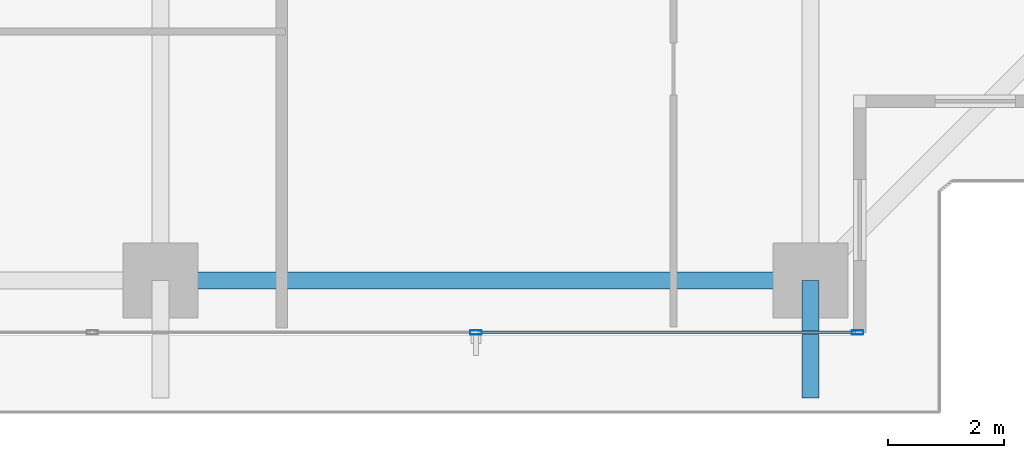
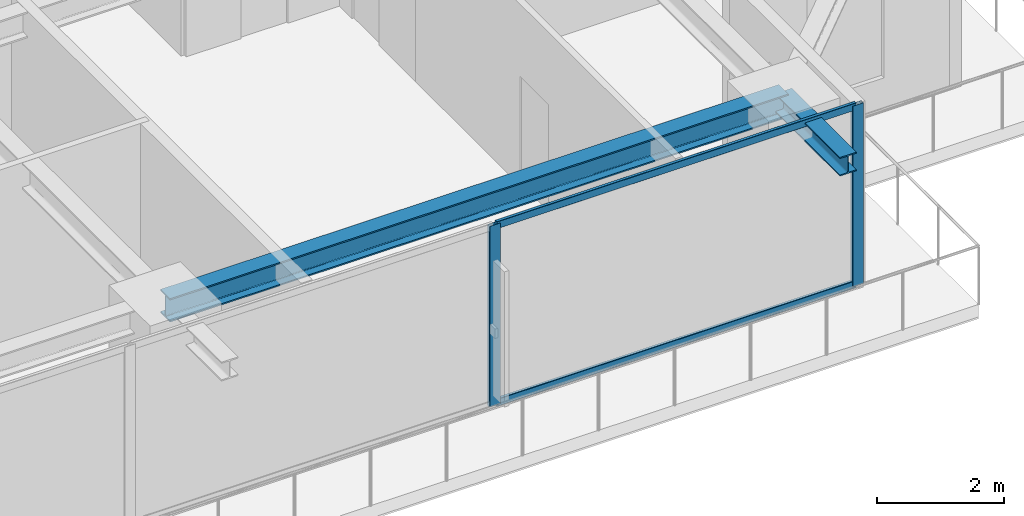
# One storey, part 10 of 34: 4 members, 2 beams, 1 element without a shape of its own.
"""IFC4 building model written with IfcOpenShell, lengths in metres."""

from ifc_helpers import new_model, si_unit, direction, frame, origin, origin_2d, place, context, subcontext, project, spatial, hollow_rectangle, i_section, extrude, source, transform, mapped, material, layer, layer_set, material_profile, profile_set, type_object, element, aggregate, save


model = new_model("IFC4")

# Units and contexts
model_context = context("Model", 3, precision=1e-05, world=origin(), true_north=direction((0.0, 1.0)))
body_context = subcontext(model_context, "Body", "Model", "MODEL_VIEW")
ifc_project = project(units=[si_unit("LENGTHUNIT", "METRE"), si_unit("AREAUNIT", "SQUARE_METRE"), si_unit("VOLUMEUNIT", "CUBIC_METRE"), si_unit("PLANEANGLEUNIT", "RADIAN"), si_unit("MASSUNIT", "GRAM", prefix="KILO")], contexts=[model_context])

# Site, building, storey
site_placement = place(None, origin())
site = spatial("IfcSite", under=ifc_project, at=site_placement, CompositionType="ELEMENT")
building_placement = place(site_placement, origin())
building = spatial("IfcBuilding", under=site, at=building_placement, Name="Serunith Strait Residences", CompositionType="ELEMENT")
storey_placement = place(building_placement, frame((0.0, 0.0, 180.14990234375)))
storey = spatial("IfcBuildingStorey", under=building, at=storey_placement, Name="L45", CompositionType="ELEMENT", Elevation=180.14990234375)

# Beams
ifc_material_1 = material(Name="Steel S355J2", Category="steel")
ifc_material_profile_1 = material_profile(ifc_material_1, i_section(OverallWidth=0.300048828125, OverallDepth=0.449951171875, WebThickness=0.013916015625, FlangeThickness=0.02587890625, FilletRadius=0.027099609375, at=origin_2d()), Name="HEB 450")
ifc_profile_set_1 = profile_set([ifc_material_profile_1], Name="Steel S355J2")
beam_type_1 = type_object("IfcBeamType", Name="BM-HEB450", PredefinedType="BEAM", material=ifc_profile_set_1)
shared_shape_1 = source(origin(), body_context, "Body", "SweptSolid", [
    extrude(i_section(OverallWidth=0.300048828125, OverallDepth=0.449951171875, WebThickness=0.013916015625, FlangeThickness=0.02587890625, FilletRadius=0.027099609375, at=origin_2d()), origin(), (0.0, 0.0, 1.0), 11.25),
])
beam_1_placement = place(storey_placement, frame((36.89990234375, 2.300048828125, 3.26220703125), z_axis=(1.0, 0.0, 0.0), x_axis=(0.0, 1.0, 0.0)))
element("IfcBeam", 1, at=beam_1_placement, inside=storey, type_object=beam_type_1, Name="L45 Perimeter Ring Beam 03", PredefinedType="BEAM", context=body_context, shape_type="MappedRepresentation", body=[
    mapped(shared_shape_1, transform((0.0, 0.0, 0.0), scale=1.0)),
])
ifc_material_profile_2 = material_profile(ifc_material_1, i_section(OverallWidth=0.300048828125, OverallDepth=0.360107421875, WebThickness=0.012451171875, FlangeThickness=0.0224609375, FilletRadius=0.027099609375, at=origin_2d()), Name="HEB 360")
ifc_profile_set_2 = profile_set([ifc_material_profile_2], Name="Steel S355J2")
beam_type_2 = type_object("IfcBeamType", Name="BM-HEB360", PredefinedType="BEAM", material=ifc_profile_set_2)
shared_shape_2 = source(origin(), body_context, "Body", "SweptSolid", [
    extrude(i_section(OverallWidth=0.300048828125, OverallDepth=0.360107421875, WebThickness=0.012451171875, FlangeThickness=0.0224609375, FilletRadius=0.027099609375, at=origin_2d()), origin(), (0.0, 0.0, 1.0), 2.030029296875),
])
beam_2_placement = place(storey_placement, frame((48.14990234375, 2.300048828125, 3.277099609375), z_axis=(0.0, -1.0, 0.0), x_axis=(1.0, 0.0, 0.0)))
element("IfcBeam", 2, at=beam_2_placement, inside=storey, type_object=beam_type_2, Name="L46 Cantilevered Balcony Rib TC-S4", PredefinedType="BEAM", context=body_context, shape_type="MappedRepresentation", body=[
    mapped(shared_shape_2, transform((0.0, 0.0, 0.0), scale=1.0)),
])

# Curtain wall, members
ifc_material_2 = material(Name="Pale-Champagne Anodised Aluminium", Category="aluminium")
ifc_layer = layer(ifc_material_2, 0.199951171875, Name="Pale-Champagne Anodised Aluminium")
ifc_layer_set = layer_set([ifc_layer], Name="Pale-Champagne Anodised Aluminium")
curtain_wall_type = type_object("IfcCurtainWallType", Name="CW-SYS2", PredefinedType="NOTDEFINED", material=ifc_layer_set)
curtain_wall_placement = place(storey_placement, origin())
curtain_wall = element("IfcCurtainWall", 3, at=curtain_wall_placement, inside=storey, type_object=curtain_wall_type, Name="L45 S Unitised Fritted Curtain Wall", PredefinedType="NOTDEFINED")
ifc_material_profile_3 = material_profile(ifc_material_2, hollow_rectangle(XDim=0.070068359375, YDim=0.199951171875, WallThickness=0.00390625, InnerFilletRadius=0.006103515625, OuterFilletRadius=0.010009765625, at=origin_2d()), Name="ALU 200x70x4")
ifc_profile_set_3 = profile_set([ifc_material_profile_3], Name="Pale-Champagne Anodised Aluminium")
member_type_1 = type_object("IfcMemberType", Name="CW-SYS2-MULL", PredefinedType="MULLION", material=ifc_profile_set_3)
shared_shape_3 = source(origin(), body_context, "Body", "SweptSolid", [
    extrude(hollow_rectangle(XDim=0.070068359375, YDim=0.199951171875, WallThickness=0.00390625, InnerFilletRadius=0.006103515625, OuterFilletRadius=0.010009765625, at=origin_2d()), origin(), (0.0, 0.0, 1.0), 3.47509765625),
])
member_1_placement = place(storey_placement, frame((42.360107421875, 1.39990234375, 0.0), z_axis=(0.0, 0.0, 1.0), x_axis=(0.0, 1.0, 0.0)))
member_1 = element("IfcMember", 4, at=member_1_placement, type_object=member_type_1, Name="CW-2 mullion 5", PredefinedType="MULLION", context=body_context, shape_type="MappedRepresentation", body=[
    mapped(shared_shape_3, transform((0.0, 0.0, 0.0), scale=1.0)),
])
member_2_placement = place(storey_placement, frame((48.965087890625, 1.39990234375, 0.0), z_axis=(0.0, 0.0, 1.0), x_axis=(0.0, 1.0, 0.0)))
member_2 = element("IfcMember", 5, at=member_2_placement, type_object=member_type_1, Name="CW-2 mullion 6", PredefinedType="MULLION", context=body_context, shape_type="MappedRepresentation", body=[
    mapped(shared_shape_3, transform((0.0, 0.0, 0.0), scale=1.0)),
])
ifc_material_profile_4 = material_profile(ifc_material_2, hollow_rectangle(XDim=0.06005859375, YDim=0.139892578125, WallThickness=0.00341796875, InnerFilletRadius=0.00537109375, OuterFilletRadius=0.0087890625, at=origin_2d()), Name="ALU 140x60x3.5")
ifc_profile_set_4 = profile_set([ifc_material_profile_4], Name="Pale-Champagne Anodised Aluminium")
member_type_2 = type_object("IfcMemberType", Name="CW-SYS2-TRAN", PredefinedType="USERDEFINED", material=ifc_profile_set_4)
shared_shape_4 = source(origin(), body_context, "Body", "SweptSolid", [
    extrude(hollow_rectangle(XDim=0.06005859375, YDim=0.139892578125, WallThickness=0.00341796875, InnerFilletRadius=0.00537109375, OuterFilletRadius=0.0087890625, at=origin_2d()), origin(), (0.0, 0.0, 1.0), 6.534912109375),
])
member_3_placement = place(storey_placement, frame((42.39501953125, 1.39990234375, 0.030029296875), z_axis=(1.0, 0.0, 0.0), x_axis=(0.0, 1.0, 0.0)))
member_3 = element("IfcMember", 6, at=member_3_placement, type_object=member_type_2, Name="CW-2 transom 5.1", ObjectType="TRANSOM", PredefinedType="USERDEFINED", context=body_context, shape_type="MappedRepresentation", body=[
    mapped(shared_shape_4, transform((0.0, 0.0, 0.0), scale=1.0)),
])
member_4_placement = place(storey_placement, frame((42.39501953125, 1.39990234375, 3.445068359375), z_axis=(1.0, 0.0, 0.0), x_axis=(0.0, 1.0, 0.0)))
member_4 = element("IfcMember", 7, at=member_4_placement, type_object=member_type_2, Name="CW-2 transom 5.2", ObjectType="TRANSOM", PredefinedType="USERDEFINED", context=body_context, shape_type="MappedRepresentation", body=[
    mapped(shared_shape_4, transform((0.0, 0.0, 0.0), scale=1.0)),
])
aggregate(curtain_wall, [member_1, member_2, member_3, member_4])

save(model, "model.ifc")
